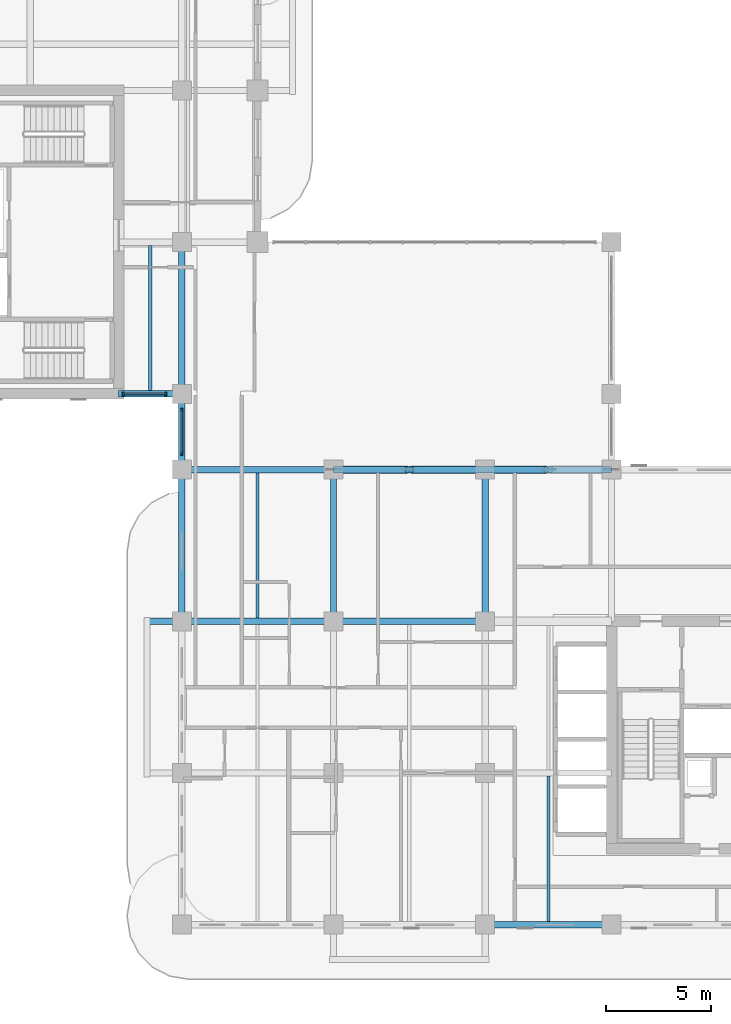
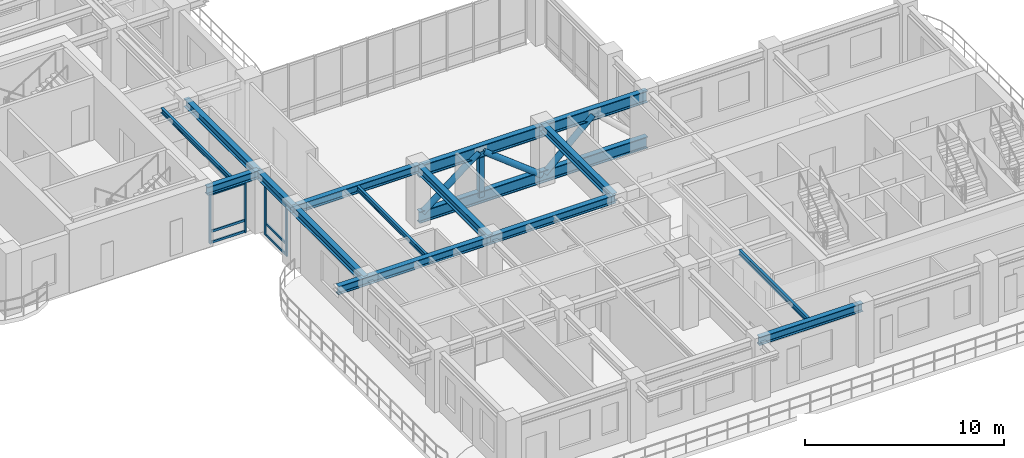
# One storey, part 2 of 19: 16 members, 13 beams, 2 elements without a shape of their own.
"""IFC4 building model written with IfcOpenShell, lengths in metres."""

from ifc_helpers import new_model, si_unit, derived_unit, direction, frame, origin, origin_2d, place, context, subcontext, project, spatial, rectangle, hollow_rectangle, hollow_circle, i_section, extrude, source, transform, mapped, material, layer, layer_set, material_profile, profile_set, type_object, type_shapes, element, aggregate, save


model = new_model("IFC4")

# Units and contexts
model_context = context("Model", 3, precision=1e-05, world=origin(), true_north=direction((0.0, 1.0)))
body_context = subcontext(model_context, "Body", "Model", "MODEL_VIEW")
ifc_project = project(units=[si_unit("LENGTHUNIT", "METRE"), si_unit("AREAUNIT", "SQUARE_METRE"), si_unit("VOLUMEUNIT", "CUBIC_METRE"), si_unit("PLANEANGLEUNIT", "RADIAN"), si_unit("MASSUNIT", "GRAM", prefix="KILO"), si_unit("THERMODYNAMICTEMPERATUREUNIT", "KELVIN"), si_unit("POWERUNIT", "WATT"), derived_unit("THERMALTRANSMITTANCEUNIT", [(si_unit("POWERUNIT", "WATT"), 1), (si_unit("AREAUNIT", "SQUARE_METRE"), -1), (si_unit("THERMODYNAMICTEMPERATUREUNIT", "KELVIN"), -1)])], contexts=[model_context])

# Site, building, storey
site_placement = place(None, origin())
site = spatial("IfcSite", under=ifc_project, at=site_placement, CompositionType="ELEMENT")
building_placement = place(site_placement, origin())
building = spatial("IfcBuilding", under=site, at=building_placement, Name="Zahravan Archway Hotel and Residences", CompositionType="ELEMENT")
storey_placement = place(building_placement, frame((0.0, 0.0, 201.89990234375)))
storey = spatial("IfcBuildingStorey", under=building, at=storey_placement, Name="L50", CompositionType="ELEMENT", Elevation=201.89990234375)

# Beams
ifc_material_1 = material(Name="Structural Steel S355JR", Category="steel")
ifc_material_profile_1 = material_profile(ifc_material_1, i_section(OverallWidth=0.300048828125, OverallDepth=0.5, WebThickness=0.014404296875, FlangeThickness=0.028076171875, FilletRadius=0.027099609375, at=origin_2d()), Name="HEB 500", Category="steel")
ifc_profile_set_1 = profile_set([ifc_material_profile_1], Name="Structural Steel S355JR")
beam_type_1 = type_object("IfcBeamType", Name="BM-PRI-HEB500", PredefinedType="BEAM", material=ifc_profile_set_1)
shared_shape_1 = source(origin(), body_context, "Body", "SweptSolid", [
    extrude(i_section(OverallWidth=0.300048828125, OverallDepth=0.5, WebThickness=0.014404296875, FlangeThickness=0.028076171875, FilletRadius=0.027099609375, at=origin_2d()), origin(), (0.0, 0.0, 1.0), 7.2001953125),
])
type_shapes(beam_type_1, [shared_shape_1])
for number, where, z_axis, x_axis, name in (
    (1, (14.39990234375, 21.60009765625, 3.35009765625), (1.0, 0.0, 0.0), (0.0, 1.0, 0.0), "L50 Primary Girder EW-11"),
    (2, (14.39990234375, 14.39990234375, 3.35009765625), (0.0, 1.0, 0.0), (-1.0, 0.0, 0.0), "L50 Primary Girder NS-27"),
    (3, (21.60009765625, 14.39990234375, 3.35009765625), (0.0, 1.0, 0.0), (-1.0, 0.0, 0.0), "L50 Primary Girder NS-34"),
    (4, (28.800048828125, 14.39990234375, 3.35009765625), (0.0, 1.0, 0.0), (-1.0, 0.0, 0.0), "L50 Primary Girder NS-37"),
):
    element("IfcBeam", number, at=place(storey_placement, frame(where, z_axis=z_axis, x_axis=x_axis)), inside=storey, type_object=beam_type_1, Name=name, PredefinedType="BEAM", context=body_context, shape_type="MappedRepresentation", body=[
        mapped(shared_shape_1, transform((0.0, 0.0, 0.0), scale=1.0)),
    ])
shared_shape_2 = source(origin(), body_context, "Body", "SweptSolid", [
    extrude(i_section(OverallWidth=0.300048828125, OverallDepth=0.5, WebThickness=0.014404296875, FlangeThickness=0.028076171875, FilletRadius=0.027099609375, at=origin_2d()), origin(), (0.0, 0.0, 1.0), 7.199951171875),
])
for number, where, z_axis, x_axis, name in (
    (5, (21.60009765625, 14.39990234375, 3.35009765625), (1.0, 0.0, 0.0), (0.0, 1.0, 0.0), "L50 Primary Girder EW-10"),
    (6, (14.39990234375, 25.199951171875, 3.35009765625), (0.0, 1.0, 0.0), (-1.0, 0.0, 0.0), "L50 Primary Girder NS-29"),
):
    element("IfcBeam", number, at=place(storey_placement, frame(where, z_axis=z_axis, x_axis=x_axis)), inside=storey, type_object=beam_type_1, Name=name, PredefinedType="BEAM", context=body_context, shape_type="MappedRepresentation", body=[
        mapped(shared_shape_2, transform((0.0, 0.0, 0.0), scale=1.0)),
    ])
shared_shape_3 = source(origin(), body_context, "Body", "SweptSolid", [
    extrude(i_section(OverallWidth=0.300048828125, OverallDepth=0.5, WebThickness=0.014404296875, FlangeThickness=0.028076171875, FilletRadius=0.027099609375, at=origin_2d()), origin(), (0.0, 0.0, 1.0), 6.0),
])
beam_1_placement = place(storey_placement, frame((28.800048828125, 0.0, 3.35009765625), z_axis=(1.0, 0.0, 0.0), x_axis=(0.0, 1.0, 0.0)))
element("IfcBeam", 7, at=beam_1_placement, inside=storey, type_object=beam_type_1, Name="L50 Primary Girder EW-03", PredefinedType="BEAM", context=body_context, shape_type="MappedRepresentation", body=[
    mapped(shared_shape_3, transform((0.0, 0.0, 0.0), scale=1.0)),
])
shared_shape_4 = source(origin(), body_context, "Body", "SweptSolid", [
    extrude(i_section(OverallWidth=0.300048828125, OverallDepth=0.5, WebThickness=0.014404296875, FlangeThickness=0.028076171875, FilletRadius=0.027099609375, at=origin_2d()), origin(), (0.0, 0.0, 1.0), 3.0),
])
beam_2_placement = place(storey_placement, frame((11.39990234375, 25.199951171875, 3.35009765625), z_axis=(1.0, 0.0, 0.0), x_axis=(0.0, 1.0, 0.0)))
element("IfcBeam", 8, at=beam_2_placement, inside=storey, type_object=beam_type_1, Name="L50 Primary Girder EW-14", PredefinedType="BEAM", context=body_context, shape_type="MappedRepresentation", body=[
    mapped(shared_shape_4, transform((0.0, 0.0, 0.0), scale=1.0)),
])
shared_shape_5 = source(origin(), body_context, "Body", "SweptSolid", [
    extrude(i_section(OverallWidth=0.300048828125, OverallDepth=0.5, WebThickness=0.014404296875, FlangeThickness=0.028076171875, FilletRadius=0.027099609375, at=origin_2d()), origin(), (0.0, 0.0, 1.0), 3.599853515625),
])
beam_3_placement = place(storey_placement, frame((14.39990234375, 21.60009765625, 3.35009765625), z_axis=(0.0, 1.0, 0.0), x_axis=(-1.0, 0.0, 0.0)))
element("IfcBeam", 9, at=beam_3_placement, inside=storey, type_object=beam_type_1, Name="L50 Primary Girder NS-28", PredefinedType="BEAM", context=body_context, shape_type="MappedRepresentation", body=[
    mapped(shared_shape_5, transform((0.0, 0.0, 0.0), scale=1.0)),
])
shared_shape_6 = source(origin(), body_context, "Body", "SweptSolid", [
    extrude(i_section(OverallWidth=0.300048828125, OverallDepth=0.5, WebThickness=0.014404296875, FlangeThickness=0.028076171875, FilletRadius=0.027099609375, at=origin_2d()), origin(), (0.0, 0.0, 1.0), 8.85009765625),
])
beam_4_placement = place(storey_placement, frame((12.75, 14.39990234375, 3.35009765625), z_axis=(1.0, 0.0, 0.0), x_axis=(0.0, 1.0, 0.0)))
element("IfcBeam", 10, at=beam_4_placement, inside=storey, type_object=beam_type_1, Name="L50 Primary Girder EW-09", PredefinedType="BEAM", context=body_context, shape_type="MappedRepresentation", body=[
    mapped(shared_shape_6, transform((0.0, 0.0, 0.0), scale=1.0)),
])
ifc_material_profile_2 = material_profile(ifc_material_1, i_section(OverallWidth=0.14990234375, OverallDepth=0.300048828125, WebThickness=0.007080078125, FlangeThickness=0.0107421875, FilletRadius=0.014892578125, at=origin_2d()), Name="IPE 300", Category="steel")
ifc_profile_set_2 = profile_set([ifc_material_profile_2], Name="Structural Steel S355JR")
beam_type_2 = type_object("IfcBeamType", Name="BM-JST-IPE300", PredefinedType="JOIST", material=ifc_profile_set_2)
shared_shape_7 = source(origin(), body_context, "Body", "SweptSolid", [
    extrude(i_section(OverallWidth=0.14990234375, OverallDepth=0.300048828125, WebThickness=0.007080078125, FlangeThickness=0.0107421875, FilletRadius=0.014892578125, at=origin_2d()), origin(), (0.0, 0.0, 1.0), 6.904052734375),
])
type_shapes(beam_type_2, [shared_shape_7])
for number, where, z_axis, x_axis, name in (
    (11, (31.800048828125, 0.14794921875, 3.4501953125), (0.0, 1.0, 0.0), (-1.0, 0.0, 0.0), "L50 Composite Floor Joist 03"),
    (12, (12.89990234375, 25.347900390625, 3.4501953125), (0.0, 1.0, 0.0), (-1.0, 0.0, 0.0), "L50 Composite Floor Joist 08"),
):
    element("IfcBeam", number, at=place(storey_placement, frame(where, z_axis=z_axis, x_axis=x_axis)), inside=storey, type_object=beam_type_2, Name=name, PredefinedType="JOIST", context=body_context, shape_type="MappedRepresentation", body=[
        mapped(shared_shape_7, transform((0.0, 0.0, 0.0), scale=1.0)),
    ])
shared_shape_8 = source(origin(), body_context, "Body", "SweptSolid", [
    extrude(i_section(OverallWidth=0.14990234375, OverallDepth=0.300048828125, WebThickness=0.007080078125, FlangeThickness=0.0107421875, FilletRadius=0.014892578125, at=origin_2d()), origin(), (0.0, 0.0, 1.0), 6.90380859375),
])
beam_5_placement = place(storey_placement, frame((18.0, 14.548095703125, 3.4501953125), z_axis=(0.0, 1.0, 0.0), x_axis=(-1.0, 0.0, 0.0)))
element("IfcBeam", 13, at=beam_5_placement, inside=storey, type_object=beam_type_2, Name="L50 Composite Floor Joist 07", PredefinedType="JOIST", context=body_context, shape_type="MappedRepresentation", body=[
    mapped(shared_shape_8, transform((0.0, 0.0, 0.0), scale=1.0)),
])

# Members
ifc_material_2 = material(Name="Structural Steel S460M", Category="steel")
ifc_material_profile_3 = material_profile(ifc_material_2, i_section(OverallWidth=0.303955078125, OverallDepth=0.716064453125, WebThickness=0.02099609375, FlangeThickness=0.0400390625, FilletRadius=0.027099609375, at=origin_2d()), Name="HEM 700", Category="steel")
ifc_profile_set_3 = profile_set([ifc_material_profile_3], Name="Structural Steel S460M")
member_type_1 = type_object("IfcMemberType", Name="MEM-CHD-HEM700", PredefinedType="CHORD", material=ifc_profile_set_3)
shared_shape_9 = source(origin(), body_context, "Body", "SweptSolid", [
    extrude(i_section(OverallWidth=0.303955078125, OverallDepth=0.716064453125, WebThickness=0.02099609375, FlangeThickness=0.0400390625, FilletRadius=0.027099609375, at=origin_2d()), origin(), (0.0, 0.0, 1.0), 13.199951171875),
])
type_shapes(member_type_1, [shared_shape_9])
for number, where, z_axis, x_axis, name in (
    (14, (21.60009765625, 21.60009765625, 3.150146484375), (1.0, 0.0, 0.0), (0.0, 1.0, 0.0), "L50 Sky-Bridge Truss Top Chord"),
    (15, (21.60009765625, 21.60009765625, 0.35009765625), (1.0, 0.0, 0.0), (0.0, 1.0, 0.0), "L50 Sky-Bridge Truss Bottom Chord"),
):
    element("IfcMember", number, at=place(storey_placement, frame(where, z_axis=z_axis, x_axis=x_axis)), inside=storey, type_object=member_type_1, Name=name, PredefinedType="CHORD", context=body_context, shape_type="MappedRepresentation", body=[
        mapped(shared_shape_9, transform((0.0, 0.0, 0.0), scale=1.0)),
    ])
ifc_material_3 = material(Name="Structural Steel S355J2", Category="steel")
ifc_material_profile_4 = material_profile(ifc_material_3, hollow_circle(Radius=0.177734375, WallThickness=0.01611328125, at=origin_2d()), Name="CHS 355.6x16", Category="steel")
ifc_profile_set_4 = profile_set([ifc_material_profile_4], Name="Structural Steel S355J2")
member_type_2 = type_object("IfcMemberType", Name="MEM-DIAG-CHS355", PredefinedType="BRACE", material=ifc_profile_set_4)
shared_shape_10 = source(origin(), body_context, "Body", "SweptSolid", [
    extrude(hollow_circle(Radius=0.177734375, WallThickness=0.01611328125, at=origin_2d()), origin(), (0.0, 0.0, 1.0), 4.140869140625),
])
member_1_placement = place(storey_placement, frame((21.821044921875, 21.60009765625, 0.52197265625), z_axis=(0.789349042626, 0.0, 0.613944695314), x_axis=(0.0, 1.0, 0.0)))
element("IfcMember", 16, at=member_1_placement, inside=storey, type_object=member_type_2, Name="L50 Sky-Bridge Truss Diagonal 1", PredefinedType="BRACE", context=body_context, shape_type="MappedRepresentation", body=[
    mapped(shared_shape_10, transform((0.0, 0.0, 0.0), scale=1.0)),
])
shared_shape_11 = source(origin(), body_context, "Body", "SweptSolid", [
    extrude(hollow_circle(Radius=0.177734375, WallThickness=0.01611328125, at=origin_2d()), origin(), (0.0, 0.0, 1.0), 4.28076171875),
])
member_2_placement = place(storey_placement, frame((25.310546875, 21.60009765625, 3.064208984375), z_axis=(0.789336862088, 0.0, -0.613960355519), x_axis=(0.0, 1.0, 0.0)))
element("IfcMember", 17, at=member_2_placement, inside=storey, type_object=member_type_2, Name="L50 Sky-Bridge Truss Diagonal 2", PredefinedType="BRACE", context=body_context, shape_type="MappedRepresentation", body=[
    mapped(shared_shape_11, transform((0.0, 0.0, 0.0), scale=1.0)),
])
ifc_material_profile_5 = material_profile(ifc_material_3, hollow_rectangle(XDim=0.300048828125, YDim=0.300048828125, WallThickness=0.01611328125, at=origin_2d()), Name="SHS 300x300x16", Category="steel")
ifc_profile_set_5 = profile_set([ifc_material_profile_5], Name="Structural Steel S355J2")
member_type_3 = type_object("IfcMemberType", Name="MEM-POST-SHS300", PredefinedType="POST", material=ifc_profile_set_5)
shared_shape_12 = source(origin(), body_context, "Body", "SweptSolid", [
    extrude(hollow_rectangle(XDim=0.300048828125, YDim=0.300048828125, WallThickness=0.01611328125, at=origin_2d()), origin(), (0.0, 0.0, 1.0), 2.800048828125),
])
member_3_placement = place(storey_placement, frame((25.199951171875, 21.60009765625, 0.35009765625), z_axis=(0.0, 0.0, 1.0), x_axis=(1.0, 0.0, 0.0)))
element("IfcMember", 18, at=member_3_placement, inside=storey, type_object=member_type_3, Name="L50 Sky-Bridge Truss Post 1", PredefinedType="POST", context=body_context, shape_type="MappedRepresentation", body=[
    mapped(shared_shape_12, transform((0.0, 0.0, 0.0), scale=1.0)),
])
shared_shape_13 = source(origin(), body_context, "Body", "SweptSolid", [
    extrude(hollow_circle(Radius=0.177734375, WallThickness=0.01611328125, at=origin_2d()), origin(), (0.0, 0.0, 1.0), 3.823974609375),
])
member_4_placement = place(storey_placement, frame((28.90234375, 21.60009765625, 0.445556640625), z_axis=(0.731044652314, 0.0, 0.682329624392), x_axis=(0.0, 1.0, 0.0)))
element("IfcMember", 19, at=member_4_placement, inside=storey, type_object=member_type_2, Name="L50 Sky-Bridge Truss Diagonal 3", PredefinedType="BRACE", context=body_context, shape_type="MappedRepresentation", body=[
    mapped(shared_shape_13, transform((0.0, 0.0, 0.0), scale=1.0)),
])

# Curtain wall, members
ifc_material_4 = material(Name="Bronze-Anodized Unitised Aluminium & Low-E Glass", Category="aluminium")
ifc_layer = layer(ifc_material_4, 0.179931640625, Name="Bronze-Anodized Unitised Aluminium & Low-E Glass", Category="aluminium")
ifc_layer_set = layer_set([ifc_layer], Name="Bronze-Anodized Unitised Aluminium & Low-E Glass")
curtain_wall_type = type_object("IfcCurtainWallType", Name="CW-SBG-2", PredefinedType="NOTDEFINED", material=ifc_layer_set)
curtain_wall_1_placement = place(storey_placement, origin())
curtain_wall_1 = element("IfcCurtainWall", 20, at=curtain_wall_1_placement, inside=storey, type_object=curtain_wall_type, Name="L50 Curtain Wall CW-L50-WB-SE-1", PredefinedType="NOTDEFINED")
ifc_material_5 = material(Name="Bronze-Anodized Extruded Aluminium", Category="aluminium")
ifc_material_profile_6 = material_profile(ifc_material_5, rectangle(XDim=0.080078125, YDim=0.139892578125, at=origin_2d()), Name="TRN 80x140", Category="aluminium")
ifc_profile_set_6 = profile_set([ifc_material_profile_6], Name="Bronze-Anodized Extruded Aluminium")
member_type_4 = type_object("IfcMemberType", Name="CWM-TRN-140", PredefinedType="USERDEFINED", material=ifc_profile_set_6)
shared_shape_14 = source(origin(), body_context, "Body", "SweptSolid", [
    extrude(rectangle(XDim=0.080078125, YDim=0.139892578125, at=origin_2d()), origin(), (0.0, 0.0, 1.0), 1.940185546875),
])
member_5_placement = place(storey_placement, frame((11.659912109375, 25.199951171875, 0.070068359375), z_axis=(1.0, 0.0, 0.0), x_axis=(0.0, 1.0, 0.0)))
member_5 = element("IfcMember", 21, at=member_5_placement, type_object=member_type_4, Name="CW-L50-WB-SE-1 Transom 0-1", ObjectType="TRANSOM", PredefinedType="USERDEFINED", context=body_context, shape_type="MappedRepresentation", body=[
    mapped(shared_shape_14, transform((0.0, 0.0, 0.0), scale=1.0)),
])
member_6_placement = place(storey_placement, frame((11.659912109375, 25.199951171875, 0.740478515625), z_axis=(1.0, 0.0, 0.0), x_axis=(0.0, 1.0, 0.0)))
member_6 = element("IfcMember", 22, at=member_6_placement, type_object=member_type_4, Name="CW-L50-WB-SE-1 Transom 0-2", ObjectType="TRANSOM", PredefinedType="USERDEFINED", context=body_context, shape_type="MappedRepresentation", body=[
    mapped(shared_shape_14, transform((0.0, 0.0, 0.0), scale=1.0)),
])
member_7_placement = place(storey_placement, frame((11.659912109375, 25.199951171875, 3.01513671875), z_axis=(1.0, 0.0, 0.0), x_axis=(0.0, 1.0, 0.0)))
member_7 = element("IfcMember", 23, at=member_7_placement, type_object=member_type_4, Name="CW-L50-WB-SE-1 Transom 0-3", ObjectType="TRANSOM", PredefinedType="USERDEFINED", context=body_context, shape_type="MappedRepresentation", body=[
    mapped(shared_shape_14, transform((0.0, 0.0, 0.0), scale=1.0)),
])

curtain_wall_2_placement = place(storey_placement, origin())
curtain_wall_2 = element("IfcCurtainWall", 24, at=curtain_wall_2_placement, inside=storey, type_object=curtain_wall_type, Name="L50 Curtain Wall CW-L50-WA-WLU-1", PredefinedType="NOTDEFINED")
shared_shape_15 = source(origin(), body_context, "Body", "SweptSolid", [
    extrude(rectangle(XDim=0.080078125, YDim=0.139892578125, at=origin_2d()), origin(), (0.0, 0.0, 1.0), 2.0),
])
member_8_placement = place(storey_placement, frame((14.39990234375, 22.39990234375, 0.070068359375), z_axis=(0.0, 1.0, 0.0), x_axis=(-1.0, 0.0, 0.0)))
member_8 = element("IfcMember", 25, at=member_8_placement, type_object=member_type_4, Name="CW-L50-WA-WLU-1 Transom 0-1", ObjectType="TRANSOM", PredefinedType="USERDEFINED", context=body_context, shape_type="MappedRepresentation", body=[
    mapped(shared_shape_15, transform((0.0, 0.0, 0.0), scale=1.0)),
])
member_9_placement = place(storey_placement, frame((14.39990234375, 22.39990234375, 0.740478515625), z_axis=(0.0, 1.0, 0.0), x_axis=(-1.0, 0.0, 0.0)))
member_9 = element("IfcMember", 26, at=member_9_placement, type_object=member_type_4, Name="CW-L50-WA-WLU-1 Transom 0-2", ObjectType="TRANSOM", PredefinedType="USERDEFINED", context=body_context, shape_type="MappedRepresentation", body=[
    mapped(shared_shape_15, transform((0.0, 0.0, 0.0), scale=1.0)),
])
member_10_placement = place(storey_placement, frame((14.39990234375, 22.39990234375, 3.01513671875), z_axis=(0.0, 1.0, 0.0), x_axis=(-1.0, 0.0, 0.0)))
member_10 = element("IfcMember", 27, at=member_10_placement, type_object=member_type_4, Name="CW-L50-WA-WLU-1 Transom 0-3", ObjectType="TRANSOM", PredefinedType="USERDEFINED", context=body_context, shape_type="MappedRepresentation", body=[
    mapped(shared_shape_15, transform((0.0, 0.0, 0.0), scale=1.0)),
])
ifc_material_profile_7 = material_profile(ifc_material_5, rectangle(XDim=0.080078125, YDim=0.159912109375, at=origin_2d()), Name="MUL 80x160", Category="aluminium")
ifc_profile_set_7 = profile_set([ifc_material_profile_7], Name="Bronze-Anodized Extruded Aluminium")
member_type_5 = type_object("IfcMemberType", Name="CWM-MUL-160", PredefinedType="MULLION", material=ifc_profile_set_7)
shared_shape_16 = source(origin(), body_context, "Body", "SweptSolid", [
    extrude(rectangle(XDim=0.080078125, YDim=0.159912109375, at=origin_2d()), origin(), (0.0, 0.0, 1.0), 3.085205078125),
])
member_11_placement = place(storey_placement, frame((14.39990234375, 22.360107421875, 0.0), z_axis=(0.0, 0.0, 1.0), x_axis=(1.0, 0.0, 0.0)))
member_11 = element("IfcMember", 28, at=member_11_placement, type_object=member_type_5, Name="CW-L50-WA-WLU-1 Mullion 0", PredefinedType="MULLION", context=body_context, shape_type="MappedRepresentation", body=[
    mapped(shared_shape_16, transform((0.0, 0.0, 0.0), scale=1.0)),
])
member_12_placement = place(storey_placement, frame((14.39990234375, 24.43994140625, 0.0), z_axis=(0.0, 0.0, 1.0), x_axis=(1.0, 0.0, 0.0)))
member_12 = element("IfcMember", 29, at=member_12_placement, type_object=member_type_5, Name="CW-L50-WA-WLU-1 Mullion 1", PredefinedType="MULLION", context=body_context, shape_type="MappedRepresentation", body=[
    mapped(shared_shape_16, transform((0.0, 0.0, 0.0), scale=1.0)),
])
aggregate(curtain_wall_2, [member_11, member_12, member_8, member_9, member_10])

# Member
member_13_placement = place(storey_placement, frame((11.6201171875, 25.199951171875, 0.0), z_axis=(0.0, 0.0, 1.0), x_axis=(1.0, 0.0, 0.0)))
member_13 = element("IfcMember", 30, at=member_13_placement, type_object=member_type_5, Name="CW-L50-WB-SE-1 Mullion 0", PredefinedType="MULLION", context=body_context, shape_type="MappedRepresentation", body=[
    mapped(shared_shape_16, transform((0.0, 0.0, 0.0), scale=1.0)),
])

member_14_placement = place(storey_placement, frame((13.639892578125, 25.199951171875, 0.0), z_axis=(0.0, 0.0, 1.0), x_axis=(1.0, 0.0, 0.0)))
member_14 = element("IfcMember", 31, at=member_14_placement, type_object=member_type_5, Name="CW-L50-WB-SE-1 Mullion 1", PredefinedType="MULLION", context=body_context, shape_type="MappedRepresentation", body=[
    mapped(shared_shape_16, transform((0.0, 0.0, 0.0), scale=1.0)),
])

aggregate(curtain_wall_1, [member_13, member_14, member_5, member_6, member_7])

save(model, "model.ifc")
